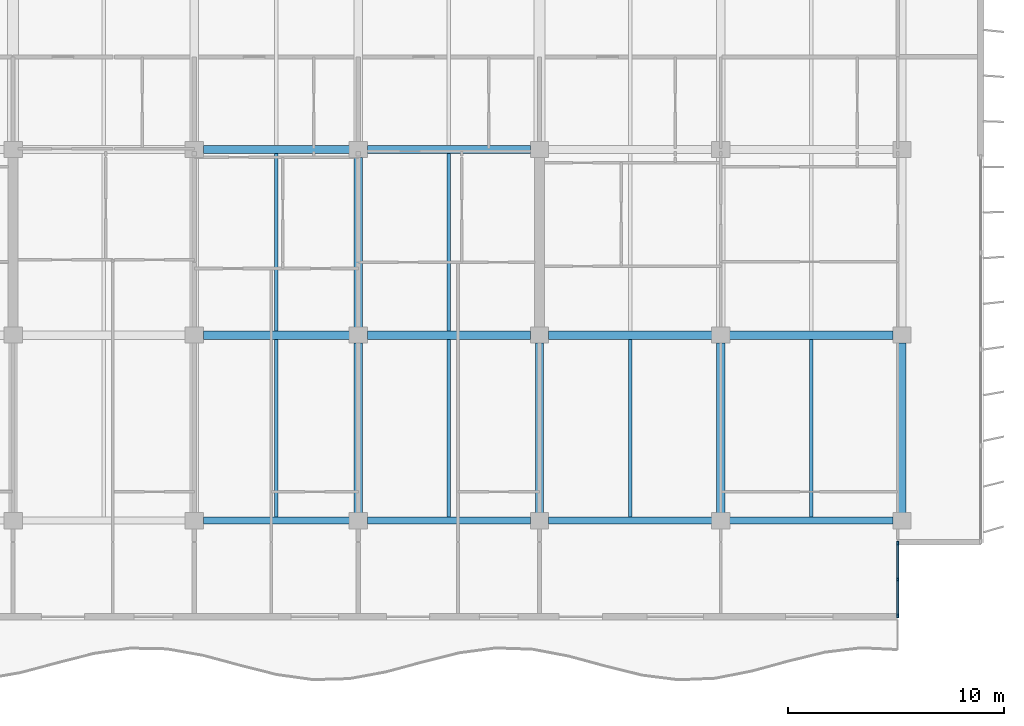
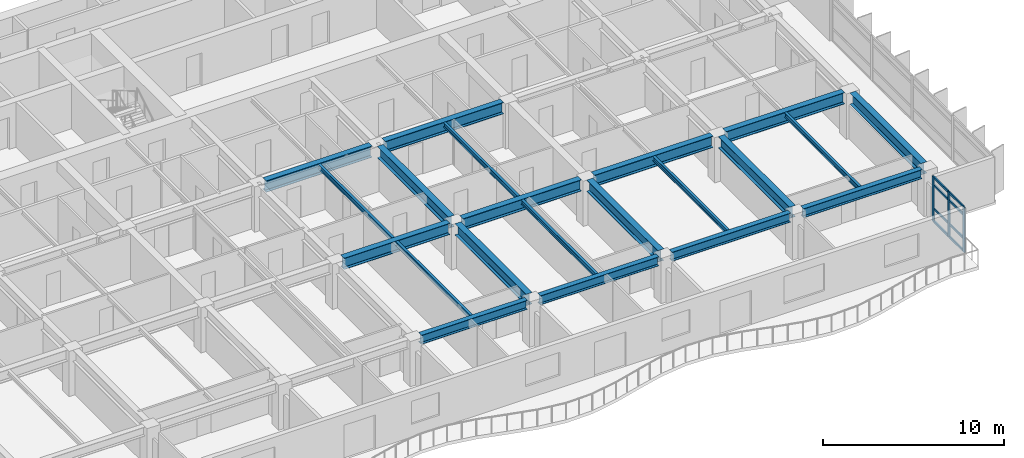
# One storey, part 3 of 18: 21 beams, 11 members, 1 element without a shape of its own.
"""IFC4 building model written with IfcOpenShell, lengths in metres."""

from ifc_helpers import new_model, si_unit, direction, frame, origin, origin_2d, place, context, subcontext, project, spatial, rectangle, i_section, extrude, material, layer, layer_set, material_profile, profile_set, type_object, element, aggregate, save


model = new_model("IFC4")

# Units and contexts
model_context = context("Model", 3, precision=1e-05, world=origin(), true_north=direction((0.0, 1.0)))
body_context = subcontext(model_context, "Body", "Model", "MODEL_VIEW")
ifc_project = project(units=[si_unit("LENGTHUNIT", "METRE"), si_unit("AREAUNIT", "SQUARE_METRE"), si_unit("VOLUMEUNIT", "CUBIC_METRE"), si_unit("PLANEANGLEUNIT", "RADIAN"), si_unit("MASSUNIT", "GRAM", prefix="KILO")], contexts=[model_context])

# Site, building, storey
site_placement = place(None, origin())
site = spatial("IfcSite", under=ifc_project, at=site_placement, CompositionType="ELEMENT")
building_placement = place(site_placement, origin())
building = spatial("IfcBuilding", under=site, at=building_placement, Name="Caelmar Bay Residences", CompositionType="ELEMENT")
storey_placement = place(building_placement, frame((0.0, 0.0, 170.39990234375)))
storey = spatial("IfcBuildingStorey", under=building, at=storey_placement, Name="L47", CompositionType="ELEMENT", Elevation=170.39990234375)

# Beams
ifc_material_1 = material(Name="Steel ASTM A992 Grade 50", Category="steel")
ifc_material_profile_1 = material_profile(ifc_material_1, i_section(OverallWidth=0.381103515625, OverallDepth=0.77197265625, WebThickness=0.0166015625, FlangeThickness=0.027099609375, FilletRadius=0.0166015625, at=origin_2d()), Name="W30X173")
ifc_profile_set_1 = profile_set([ifc_material_profile_1], Name="Steel ASTM A992 Grade 50")
beam_type_1 = type_object("IfcBeamType", Name="BM-GRD-W30X173", PredefinedType="BEAM", material=ifc_profile_set_1)
beam_1_placement = place(storey_placement, frame((35.514892578125, 20.800048828125, 2.6640625), z_axis=(1.0, 0.0, 0.0), x_axis=(0.0, 1.0, 0.0)))
element("IfcBeam", 1, at=beam_1_placement, inside=storey, type_object=beam_type_1, Name="L47 East-West Girder Y=20.80 (35.1-42.7)", PredefinedType="BEAM", context=body_context, shape_type="SweptSolid", body=[
    extrude(i_section(OverallWidth=0.381103515625, OverallDepth=0.77197265625, WebThickness=0.0166015625, FlangeThickness=0.027099609375, FilletRadius=0.0166015625, at=origin_2d()), origin(), (0.0, 0.0, 1.0), 6.77001953125),
])
for number, where, z_axis, x_axis, name in (
    (2, (43.114990234375, 20.800048828125, 2.6640625), (1.0, 0.0, 0.0), (0.0, 1.0, 0.0), "L47 East-West Girder Y=20.80 (42.7-51.1)"),
    (3, (51.514892578125, 20.800048828125, 2.6640625), (1.0, 0.0, 0.0), (0.0, 1.0, 0.0), "L47 East-West Girder Y=20.80 (51.1-59.5)"),
    (4, (59.9150390625, 20.800048828125, 2.6640625), (1.0, 0.0, 0.0), (0.0, 1.0, 0.0), "L47 East-West Girder Y=20.80 (59.5-67.9)"),
):
    element("IfcBeam", number, at=place(storey_placement, frame(where, z_axis=z_axis, x_axis=x_axis)), inside=storey, type_object=beam_type_1, Name=name, PredefinedType="BEAM", context=body_context, shape_type="SweptSolid", body=[
        extrude(i_section(OverallWidth=0.381103515625, OverallDepth=0.77197265625, WebThickness=0.0166015625, FlangeThickness=0.027099609375, FilletRadius=0.0166015625, at=origin_2d()), origin(), (0.0, 0.0, 1.0), 7.570068359375),
    ])
beam_2_placement = place(storey_placement, frame((35.514892578125, 29.39990234375, 2.6640625), z_axis=(1.0, 0.0, 0.0), x_axis=(0.0, 1.0, 0.0)))
element("IfcBeam", 5, at=beam_2_placement, inside=storey, type_object=beam_type_1, Name="L47 East-West Girder Y=29.40 (35.1-42.7)", PredefinedType="BEAM", context=body_context, shape_type="SweptSolid", body=[
    extrude(i_section(OverallWidth=0.381103515625, OverallDepth=0.77197265625, WebThickness=0.0166015625, FlangeThickness=0.027099609375, FilletRadius=0.0166015625, at=origin_2d()), origin(), (0.0, 0.0, 1.0), 6.77001953125),
])
beam_3_placement = place(storey_placement, frame((43.114990234375, 29.39990234375, 2.6640625), z_axis=(1.0, 0.0, 0.0), x_axis=(0.0, 1.0, 0.0)))
element("IfcBeam", 6, at=beam_3_placement, inside=storey, type_object=beam_type_1, Name="L47 East-West Girder Y=29.40 (42.7-51.1)", PredefinedType="BEAM", context=body_context, shape_type="SweptSolid", body=[
    extrude(i_section(OverallWidth=0.381103515625, OverallDepth=0.77197265625, WebThickness=0.0166015625, FlangeThickness=0.027099609375, FilletRadius=0.0166015625, at=origin_2d()), origin(), (0.0, 0.0, 1.0), 7.570068359375),
])
beam_4_placement = place(storey_placement, frame((42.699951171875, 12.56494140625, 2.6640625), z_axis=(0.0, 1.0, 0.0), x_axis=(-1.0, 0.0, 0.0)))
element("IfcBeam", 7, at=beam_4_placement, inside=storey, type_object=beam_type_1, Name="L47 North-South Girder X=42.70 (12.2-20.8)", PredefinedType="BEAM", context=body_context, shape_type="SweptSolid", body=[
    extrude(i_section(OverallWidth=0.381103515625, OverallDepth=0.77197265625, WebThickness=0.0166015625, FlangeThickness=0.027099609375, FilletRadius=0.0166015625, at=origin_2d()), origin(), (0.0, 0.0, 1.0), 7.8701171875),
])
beam_5_placement = place(storey_placement, frame((42.699951171875, 21.1650390625, 2.6640625), z_axis=(0.0, 1.0, 0.0), x_axis=(-1.0, 0.0, 0.0)))
element("IfcBeam", 8, at=beam_5_placement, inside=storey, type_object=beam_type_1, Name="L47 North-South Girder X=42.70 (20.8-29.4)", PredefinedType="BEAM", context=body_context, shape_type="SweptSolid", body=[
    extrude(i_section(OverallWidth=0.381103515625, OverallDepth=0.77197265625, WebThickness=0.0166015625, FlangeThickness=0.027099609375, FilletRadius=0.0166015625, at=origin_2d()), origin(), (0.0, 0.0, 1.0), 7.869873046875),
])
for number, where, z_axis, x_axis, name in (
    (9, (51.10009765625, 12.56494140625, 2.6640625), (0.0, 1.0, 0.0), (-1.0, 0.0, 0.0), "L47 North-South Girder X=51.10 (12.2-20.8)"),
    (10, (59.5, 12.56494140625, 2.6640625), (0.0, 1.0, 0.0), (-1.0, 0.0, 0.0), "L47 North-South Girder X=59.50 (12.2-20.8)"),
    (11, (67.89990234375, 12.56494140625, 2.6640625), (0.0, 1.0, 0.0), (-1.0, 0.0, 0.0), "L47 North-South Girder X=67.90 (12.2-20.8)"),
):
    element("IfcBeam", number, at=place(storey_placement, frame(where, z_axis=z_axis, x_axis=x_axis)), inside=storey, type_object=beam_type_1, Name=name, PredefinedType="BEAM", context=body_context, shape_type="SweptSolid", body=[
        extrude(i_section(OverallWidth=0.381103515625, OverallDepth=0.77197265625, WebThickness=0.0166015625, FlangeThickness=0.027099609375, FilletRadius=0.0166015625, at=origin_2d()), origin(), (0.0, 0.0, 1.0), 7.8701171875),
    ])
ifc_material_profile_2 = material_profile(ifc_material_1, i_section(OverallWidth=0.1650390625, OverallDepth=0.31005859375, WebThickness=0.005859375, FlangeThickness=0.009765625, FilletRadius=0.007568359375, at=origin_2d()), Name="W12X26")
ifc_profile_set_2 = profile_set([ifc_material_profile_2], Name="Steel ASTM A992 Grade 50")
beam_type_2 = type_object("IfcBeamType", Name="BM-JST-W12X26", PredefinedType="JOIST", material=ifc_profile_set_2)
for number, where, z_axis, x_axis, name in (
    (12, (38.89990234375, 12.362548828125, 2.89501953125), (0.0, 1.0, 0.0), (-1.0, 0.0, 0.0), "L47 Composite Floor Joist 4"),
    (13, (46.89990234375, 12.362548828125, 2.89501953125), (0.0, 1.0, 0.0), (-1.0, 0.0, 0.0), "L47 Composite Floor Joist 5"),
    (14, (55.300048828125, 12.362548828125, 2.89501953125), (0.0, 1.0, 0.0), (-1.0, 0.0, 0.0), "L47 Composite Floor Joist 6"),
    (15, (63.699951171875, 12.362548828125, 2.89501953125), (0.0, 1.0, 0.0), (-1.0, 0.0, 0.0), "L47 Composite Floor Joist 7"),
):
    element("IfcBeam", number, at=place(storey_placement, frame(where, z_axis=z_axis, x_axis=x_axis)), inside=storey, type_object=beam_type_2, Name=name, PredefinedType="JOIST", context=body_context, shape_type="SweptSolid", body=[
        extrude(i_section(OverallWidth=0.1650390625, OverallDepth=0.31005859375, WebThickness=0.005859375, FlangeThickness=0.009765625, FilletRadius=0.007568359375, at=origin_2d()), origin(), (0.0, 0.0, 1.0), 8.2470703125),
    ])
for number, where, z_axis, x_axis, name in (
    (16, (38.89990234375, 20.990478515625, 2.89501953125), (0.0, 1.0, 0.0), (-1.0, 0.0, 0.0), "L47 Composite Floor Joist 11"),
    (17, (46.89990234375, 20.990478515625, 2.89501953125), (0.0, 1.0, 0.0), (-1.0, 0.0, 0.0), "L47 Composite Floor Joist 12"),
):
    element("IfcBeam", number, at=place(storey_placement, frame(where, z_axis=z_axis, x_axis=x_axis)), inside=storey, type_object=beam_type_2, Name=name, PredefinedType="JOIST", context=body_context, shape_type="SweptSolid", body=[
        extrude(i_section(OverallWidth=0.1650390625, OverallDepth=0.31005859375, WebThickness=0.005859375, FlangeThickness=0.009765625, FilletRadius=0.007568359375, at=origin_2d()), origin(), (0.0, 0.0, 1.0), 8.218994140625),
    ])
ifc_material_profile_3 = material_profile(ifc_material_1, i_section(OverallWidth=0.324951171875, OverallDepth=0.616943359375, WebThickness=0.013916015625, FlangeThickness=0.021484375, FilletRadius=0.0126953125, at=origin_2d()), Name="W24X117")
ifc_profile_set_3 = profile_set([ifc_material_profile_3], Name="Steel ASTM A992 Grade 50")
beam_type_3 = type_object("IfcBeamType", Name="BM-SPN-W24X117", PredefinedType="SPANDREL", material=ifc_profile_set_3)
beam_6_placement = place(storey_placement, frame((35.514892578125, 12.199951171875, 2.74169921875), z_axis=(1.0, 0.0, 0.0), x_axis=(0.0, 1.0, 0.0)))
element("IfcBeam", 18, at=beam_6_placement, inside=storey, type_object=beam_type_3, Name="L47 East-West Girder Y=12.20 (35.1-42.7)", PredefinedType="SPANDREL", context=body_context, shape_type="SweptSolid", body=[
    extrude(i_section(OverallWidth=0.324951171875, OverallDepth=0.616943359375, WebThickness=0.013916015625, FlangeThickness=0.021484375, FilletRadius=0.0126953125, at=origin_2d()), origin(), (0.0, 0.0, 1.0), 6.77001953125),
])
for number, where, z_axis, x_axis, name in (
    (19, (43.114990234375, 12.199951171875, 2.74169921875), (1.0, 0.0, 0.0), (0.0, 1.0, 0.0), "L47 East-West Girder Y=12.20 (42.7-51.1)"),
    (20, (51.514892578125, 12.199951171875, 2.74169921875), (1.0, 0.0, 0.0), (0.0, 1.0, 0.0), "L47 East-West Girder Y=12.20 (51.1-59.5)"),
    (21, (59.9150390625, 12.199951171875, 2.74169921875), (1.0, 0.0, 0.0), (0.0, 1.0, 0.0), "L47 East-West Girder Y=12.20 (59.5-67.9)"),
):
    element("IfcBeam", number, at=place(storey_placement, frame(where, z_axis=z_axis, x_axis=x_axis)), inside=storey, type_object=beam_type_3, Name=name, PredefinedType="SPANDREL", context=body_context, shape_type="SweptSolid", body=[
        extrude(i_section(OverallWidth=0.324951171875, OverallDepth=0.616943359375, WebThickness=0.013916015625, FlangeThickness=0.021484375, FilletRadius=0.0126953125, at=origin_2d()), origin(), (0.0, 0.0, 1.0), 7.570068359375),
    ])

# Curtain wall, members
ifc_material_2 = material(Name="Anodised bronze aluminium 6063-T6 and laminated glass", Category="aluminium")
ifc_layer = layer(ifc_material_2, 0.179931640625)
ifc_layer_set = layer_set([ifc_layer], Name="Anodised bronze aluminium 6063-T6 and laminated glass")
curtain_wall_type = type_object("IfcCurtainWallType", Name="CW6-NTC", PredefinedType="NOTDEFINED", material=ifc_layer_set)
curtain_wall_placement = place(storey_placement, origin())
curtain_wall = element("IfcCurtainWall", 22, at=curtain_wall_placement, inside=storey, type_object=curtain_wall_type, Name="CW6 curtain wall L47", PredefinedType="NOTDEFINED")
ifc_material_3 = material(Name="Anodised bronze aluminium 6063-T6", Category="aluminium")
ifc_material_profile_4 = material_profile(ifc_material_3, rectangle(XDim=0.080078125, YDim=0.179931640625, at=origin_2d()), Name="CWM-80X180")
ifc_profile_set_4 = profile_set([ifc_material_profile_4], Name="Anodised bronze aluminium 6063-T6")
member_type_1 = type_object("IfcMemberType", Name="CWM-180", PredefinedType="MULLION", material=ifc_profile_set_4)
member_1_placement = place(storey_placement, frame((67.699951171875, 7.7900390625, 0.0), z_axis=(0.0, 0.0, 1.0), x_axis=(-1.0, 0.0, 0.0)))
member_1 = element("IfcMember", 23, at=member_1_placement, type_object=member_type_1, Name="CW6 mullion 1", PredefinedType="MULLION", context=body_context, shape_type="SweptSolid", body=[
    extrude(rectangle(XDim=0.080078125, YDim=0.179931640625, at=origin_2d()), origin(), (0.0, 0.0, 1.0), 3.050048828125),
])
member_2_placement = place(storey_placement, frame((67.699951171875, 9.47509765625, 0.0), z_axis=(0.0, 0.0, 1.0), x_axis=(-1.0, 0.0, 0.0)))
member_2 = element("IfcMember", 24, at=member_2_placement, type_object=member_type_1, Name="CW6 mullion 2", PredefinedType="MULLION", context=body_context, shape_type="SweptSolid", body=[
    extrude(rectangle(XDim=0.080078125, YDim=0.179931640625, at=origin_2d()), origin(), (0.0, 0.0, 1.0), 3.050048828125),
])
member_3_placement = place(storey_placement, frame((67.699951171875, 11.159912109375, 0.0), z_axis=(0.0, 0.0, 1.0), x_axis=(-1.0, 0.0, 0.0)))
member_3 = element("IfcMember", 25, at=member_3_placement, type_object=member_type_1, Name="CW6 mullion 3", PredefinedType="MULLION", context=body_context, shape_type="SweptSolid", body=[
    extrude(rectangle(XDim=0.080078125, YDim=0.179931640625, at=origin_2d()), origin(), (0.0, 0.0, 1.0), 3.050048828125),
])
ifc_material_profile_5 = material_profile(ifc_material_3, rectangle(XDim=0.080078125, YDim=0.139892578125, at=origin_2d()), Name="CWT-80X140")
ifc_profile_set_5 = profile_set([ifc_material_profile_5], Name="Anodised bronze aluminium 6063-T6")
member_type_2 = type_object("IfcMemberType", Name="CWT-140", PredefinedType="NOTDEFINED", material=ifc_profile_set_5)
member_4_placement = place(storey_placement, frame((67.699951171875, 7.830078125, 0.0400390625), z_axis=(0.0, 1.0, 0.0), x_axis=(-1.0, 0.0, 0.0)))
member_4 = element("IfcMember", 26, at=member_4_placement, type_object=member_type_2, Name="CW6 transom 1.1", ObjectType="TRANSOM", PredefinedType="USERDEFINED", context=body_context, shape_type="SweptSolid", body=[
    extrude(rectangle(XDim=0.080078125, YDim=0.139892578125, at=origin_2d()), origin(), (0.0, 0.0, 1.0), 1.60498046875),
])
member_5_placement = place(storey_placement, frame((67.699951171875, 7.830078125, 0.900146484375), z_axis=(0.0, 1.0, 0.0), x_axis=(-1.0, 0.0, 0.0)))
member_5 = element("IfcMember", 27, at=member_5_placement, type_object=member_type_2, Name="CW6 transom 1.2", ObjectType="TRANSOM", PredefinedType="USERDEFINED", context=body_context, shape_type="SweptSolid", body=[
    extrude(rectangle(XDim=0.080078125, YDim=0.139892578125, at=origin_2d()), origin(), (0.0, 0.0, 1.0), 1.60498046875),
])
member_6_placement = place(storey_placement, frame((67.699951171875, 7.830078125, 2.5), z_axis=(0.0, 1.0, 0.0), x_axis=(-1.0, 0.0, 0.0)))
member_6 = element("IfcMember", 28, at=member_6_placement, type_object=member_type_2, Name="CW6 transom 1.3", ObjectType="TRANSOM", PredefinedType="USERDEFINED", context=body_context, shape_type="SweptSolid", body=[
    extrude(rectangle(XDim=0.080078125, YDim=0.139892578125, at=origin_2d()), origin(), (0.0, 0.0, 1.0), 1.60498046875),
])
member_7_placement = place(storey_placement, frame((67.699951171875, 7.830078125, 3.010009765625), z_axis=(0.0, 1.0, 0.0), x_axis=(-1.0, 0.0, 0.0)))
member_7 = element("IfcMember", 29, at=member_7_placement, type_object=member_type_2, Name="CW6 transom 1.4", ObjectType="TRANSOM", PredefinedType="USERDEFINED", context=body_context, shape_type="SweptSolid", body=[
    extrude(rectangle(XDim=0.080078125, YDim=0.139892578125, at=origin_2d()), origin(), (0.0, 0.0, 1.0), 1.60498046875),
])
member_8_placement = place(storey_placement, frame((67.699951171875, 9.514892578125, 0.0400390625), z_axis=(0.0, 1.0, 0.0), x_axis=(-1.0, 0.0, 0.0)))
member_8 = element("IfcMember", 30, at=member_8_placement, type_object=member_type_2, Name="CW6 transom 2.1", ObjectType="TRANSOM", PredefinedType="USERDEFINED", context=body_context, shape_type="SweptSolid", body=[
    extrude(rectangle(XDim=0.080078125, YDim=0.139892578125, at=origin_2d()), origin(), (0.0, 0.0, 1.0), 1.605224609375),
])
member_9_placement = place(storey_placement, frame((67.699951171875, 9.514892578125, 0.900146484375), z_axis=(0.0, 1.0, 0.0), x_axis=(-1.0, 0.0, 0.0)))
member_9 = element("IfcMember", 31, at=member_9_placement, type_object=member_type_2, Name="CW6 transom 2.2", ObjectType="TRANSOM", PredefinedType="USERDEFINED", context=body_context, shape_type="SweptSolid", body=[
    extrude(rectangle(XDim=0.080078125, YDim=0.139892578125, at=origin_2d()), origin(), (0.0, 0.0, 1.0), 1.605224609375),
])
member_10_placement = place(storey_placement, frame((67.699951171875, 9.514892578125, 2.5), z_axis=(0.0, 1.0, 0.0), x_axis=(-1.0, 0.0, 0.0)))
member_10 = element("IfcMember", 32, at=member_10_placement, type_object=member_type_2, Name="CW6 transom 2.3", ObjectType="TRANSOM", PredefinedType="USERDEFINED", context=body_context, shape_type="SweptSolid", body=[
    extrude(rectangle(XDim=0.080078125, YDim=0.139892578125, at=origin_2d()), origin(), (0.0, 0.0, 1.0), 1.605224609375),
])
member_11_placement = place(storey_placement, frame((67.699951171875, 9.514892578125, 3.010009765625), z_axis=(0.0, 1.0, 0.0), x_axis=(-1.0, 0.0, 0.0)))
member_11 = element("IfcMember", 33, at=member_11_placement, type_object=member_type_2, Name="CW6 transom 2.4", ObjectType="TRANSOM", PredefinedType="USERDEFINED", context=body_context, shape_type="SweptSolid", body=[
    extrude(rectangle(XDim=0.080078125, YDim=0.139892578125, at=origin_2d()), origin(), (0.0, 0.0, 1.0), 1.605224609375),
])
aggregate(curtain_wall, [member_1, member_2, member_3, member_4, member_5, member_6, member_7, member_8, member_9, member_10, member_11])

save(model, "model.ifc")
